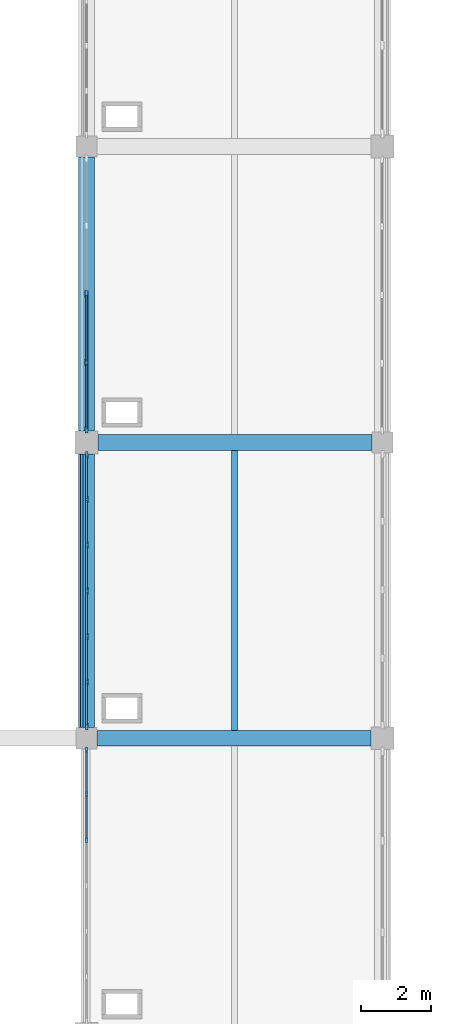
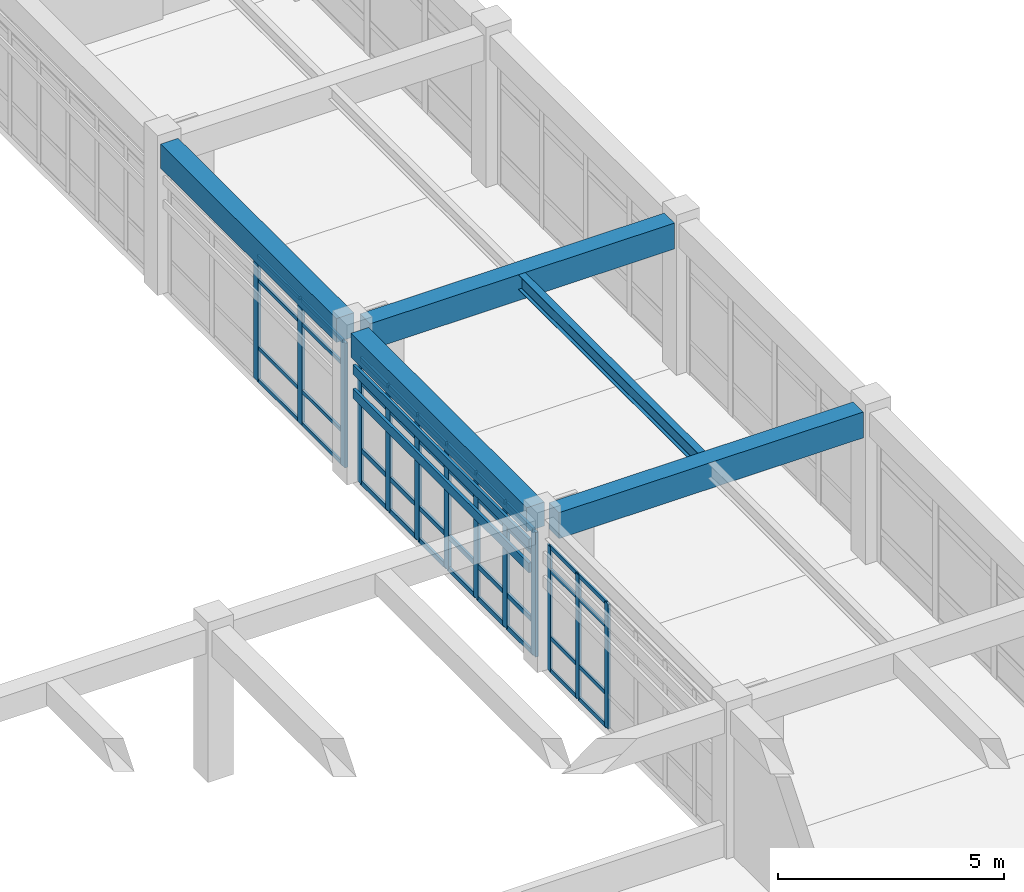
# One storey, part 26 of 74: 55 members, 5 beams, 3 elements without a shape of their own.
"""IFC4 building model written with IfcOpenShell, lengths in metres."""

from ifc_helpers import new_model, si_unit, direction, frame, origin, origin_2d, place, context, subcontext, project, spatial, rectangle, i_section, extrude, material, layer, layer_set, material_profile, profile_set, type_object, element, aggregate, save


model = new_model("IFC4")

# Units and contexts
model_context = context("Model", 3, precision=1e-05, world=origin(), true_north=direction((0.0, 1.0)))
body_context = subcontext(model_context, "Body", "Model", "MODEL_VIEW")
ifc_project = project(units=[si_unit("LENGTHUNIT", "METRE"), si_unit("AREAUNIT", "SQUARE_METRE"), si_unit("VOLUMEUNIT", "CUBIC_METRE"), si_unit("PLANEANGLEUNIT", "RADIAN"), si_unit("MASSUNIT", "GRAM", prefix="KILO")], contexts=[model_context])

# Site, building, storey
site_placement = place(None, origin())
site = spatial("IfcSite", under=ifc_project, at=site_placement, CompositionType="ELEMENT")
building_placement = place(site_placement, origin())
building = spatial("IfcBuilding", under=site, at=building_placement, Name="Porcellanite Civic Hall", CompositionType="ELEMENT")
storey_placement = place(building_placement, frame((0.0, 0.0, 14.760009765625)))
storey = spatial("IfcBuildingStorey", under=building, at=storey_placement, Name="L03", CompositionType="ELEMENT", Elevation=14.760009765625)

# Beams
ifc_material_1 = material(Name="Concrete N50 (50 MPa)", Category="concrete")
ifc_material_profile_1 = material_profile(ifc_material_1, rectangle(XDim=0.449951171875, YDim=0.64990234375, at=origin_2d()), Name="RC-450x650")
ifc_profile_set_1 = profile_set([ifc_material_profile_1], Name="Concrete N50 (50 MPa)")
beam_type_1 = type_object("IfcBeamType", Name="BM-RC650", PredefinedType="SPANDREL", material=ifc_profile_set_1)
for number, where, z_axis, x_axis, name in (
    (1, (50.39990234375, 75.8994140625, 3.744873046875), (0.0, 1.0, 0.0), (-1.0, 0.0, 0.0), "Beam Y L03 7-10"),
    (2, (50.39990234375, 84.324462890625, 3.744873046875), (0.0, 1.0, 0.0), (-1.0, 0.0, 0.0), "Beam Y L03 7-11"),
):
    element("IfcBeam", number, at=place(storey_placement, frame(where, z_axis=z_axis, x_axis=x_axis)), inside=storey, type_object=beam_type_1, Name=name, PredefinedType="SPANDREL", context=body_context, shape_type="SweptSolid", body=[
        extrude(rectangle(XDim=0.449951171875, YDim=0.64990234375, at=origin_2d()), origin(), (0.0, 0.0, 1.0), 7.776123046875),
    ])
ifc_material_2 = material(Name="Concrete N50 (50 MPa)", Category="concrete")
ifc_material_profile_2 = material_profile(ifc_material_2, rectangle(XDim=0.449951171875, YDim=0.699951171875, at=origin_2d()), Name="RC-450x700")
ifc_profile_set_2 = profile_set([ifc_material_profile_2], Name="Concrete N50 (50 MPa)")
beam_type_2 = type_object("IfcBeamType", Name="BM-RC700", PredefinedType="BEAM", material=ifc_profile_set_2)
beam_1_placement = place(storey_placement, frame((50.699462890625, 75.60009765625, 3.719970703125), z_axis=(1.0, 0.0, 0.0), x_axis=(0.0, 1.0, 0.0)))
element("IfcBeam", 3, at=beam_1_placement, inside=storey, type_object=beam_type_2, Name="Beam X L03 7-10", PredefinedType="BEAM", context=body_context, shape_type="SweptSolid", body=[
    extrude(rectangle(XDim=0.449951171875, YDim=0.699951171875, at=origin_2d()), origin(), (0.0, 0.0, 1.0), 7.776123046875),
])
beam_2_placement = place(storey_placement, frame((50.724609375, 84.0, 3.719970703125), z_axis=(1.0, 0.0, 0.0), x_axis=(0.0, 1.0, 0.0)))
element("IfcBeam", 4, at=beam_2_placement, inside=storey, type_object=beam_type_2, Name="Beam X L03 7-11", PredefinedType="BEAM", context=body_context, shape_type="SweptSolid", body=[
    extrude(rectangle(XDim=0.449951171875, YDim=0.699951171875, at=origin_2d()), origin(), (0.0, 0.0, 1.0), 7.77587890625),
])

# Curtain wall, members
ifc_material_3 = material(Name="Anodised aluminium and solar laminated glass", Category="aluminium")
ifc_layer_1 = layer(ifc_material_3, 0.179931640625)
ifc_layer_set_1 = layer_set([ifc_layer_1], Name="Anodised aluminium and solar laminated glass")
curtain_wall_type_1 = type_object("IfcCurtainWallType", Name="CW-SYS04", PredefinedType="NOTDEFINED", material=ifc_layer_set_1)
curtain_wall_1_placement = place(storey_placement, origin())
curtain_wall_1 = element("IfcCurtainWall", 5, at=curtain_wall_1_placement, inside=storey, type_object=curtain_wall_type_1, Name="Curtain wall CW-199", PredefinedType="NOTDEFINED")
ifc_material_4 = material(Name="Anodised aluminium 6063-T6", Category="aluminium")
ifc_material_profile_3 = material_profile(ifc_material_4, rectangle(XDim=0.074951171875, YDim=0.18994140625, at=origin_2d()), Name="AL-75x190")
ifc_profile_set_3 = profile_set([ifc_material_profile_3], Name="Anodised aluminium 6063-T6")
member_type_1 = type_object("IfcMemberType", Name="CWM-04", PredefinedType="MULLION", material=ifc_profile_set_3)
member_1_placement = place(storey_placement, frame((50.39990234375, 84.363525390625, 0.0), z_axis=(0.0, 0.0, 1.0), x_axis=(-1.0, 0.0, 0.0)))
member_1 = element("IfcMember", 6, at=member_1_placement, type_object=member_type_1, Name="CW-199 mullion 1", PredefinedType="MULLION", context=body_context, shape_type="SweptSolid", body=[
    extrude(rectangle(XDim=0.074951171875, YDim=0.18994140625, at=origin_2d()), origin(), (0.0, 0.0, 1.0), 3.369873046875),
])
member_2_placement = place(storey_placement, frame((50.39990234375, 86.269287109375, 0.0), z_axis=(0.0, 0.0, 1.0), x_axis=(-1.0, 0.0, 0.0)))
member_2 = element("IfcMember", 7, at=member_2_placement, type_object=member_type_1, Name="CW-199 mullion 2", PredefinedType="MULLION", context=body_context, shape_type="SweptSolid", body=[
    extrude(rectangle(XDim=0.074951171875, YDim=0.18994140625, at=origin_2d()), origin(), (0.0, 0.0, 1.0), 3.369873046875),
])
member_3_placement = place(storey_placement, frame((50.39990234375, 88.21240234375, 0.0), z_axis=(0.0, 0.0, 1.0), x_axis=(-1.0, 0.0, 0.0)))
member_3 = element("IfcMember", 8, at=member_3_placement, type_object=member_type_1, Name="CW-199 mullion 3", PredefinedType="MULLION", context=body_context, shape_type="SweptSolid", body=[
    extrude(rectangle(XDim=0.074951171875, YDim=0.18994140625, at=origin_2d()), origin(), (0.0, 0.0, 1.0), 3.369873046875),
])

ifc_material_5 = material(Name="Anodised aluminium and solar laminated glass", Category="aluminium")
ifc_layer_2 = layer(ifc_material_5, 0.179931640625)
ifc_layer_set_2 = layer_set([ifc_layer_2], Name="Anodised aluminium and solar laminated glass")
curtain_wall_type_2 = type_object("IfcCurtainWallType", Name="CW-SYS01", PredefinedType="NOTDEFINED", material=ifc_layer_set_2)
curtain_wall_2_placement = place(storey_placement, origin())
curtain_wall_2 = element("IfcCurtainWall", 9, at=curtain_wall_2_placement, inside=storey, type_object=curtain_wall_type_2, Name="Curtain wall CW-197", PredefinedType="NOTDEFINED")
ifc_material_6 = material(Name="Anodised aluminium 6063-T6", Category="aluminium")
ifc_material_profile_4 = material_profile(ifc_material_6, rectangle(XDim=0.070068359375, YDim=0.199951171875, at=origin_2d()), Name="AL-70x200")
ifc_profile_set_4 = profile_set([ifc_material_profile_4], Name="Anodised aluminium 6063-T6")
member_type_2 = type_object("IfcMemberType", Name="CWM-05", PredefinedType="MULLION", material=ifc_profile_set_4)
member_4_placement = place(storey_placement, frame((50.39990234375, 75.93603515625, 0.0), z_axis=(0.0, 0.0, 1.0), x_axis=(-1.0, 0.0, 0.0)))
member_4 = element("IfcMember", 10, at=member_4_placement, type_object=member_type_2, Name="CW-197 mullion 1", PredefinedType="MULLION", context=body_context, shape_type="SweptSolid", body=[
    extrude(rectangle(XDim=0.070068359375, YDim=0.199951171875, at=origin_2d()), origin(), (0.0, 0.0, 1.0), 3.369873046875),
])
member_5_placement = place(storey_placement, frame((50.39990234375, 77.196533203125, 0.0), z_axis=(0.0, 0.0, 1.0), x_axis=(-1.0, 0.0, 0.0)))
member_5 = element("IfcMember", 11, at=member_5_placement, type_object=member_type_2, Name="CW-197 mullion 2", PredefinedType="MULLION", context=body_context, shape_type="SweptSolid", body=[
    extrude(rectangle(XDim=0.070068359375, YDim=0.199951171875, at=origin_2d()), origin(), (0.0, 0.0, 1.0), 3.369873046875),
])
member_6_placement = place(storey_placement, frame((50.39990234375, 78.491943359375, 0.0), z_axis=(0.0, 0.0, 1.0), x_axis=(-1.0, 0.0, 0.0)))
member_6 = element("IfcMember", 12, at=member_6_placement, type_object=member_type_2, Name="CW-197 mullion 3", PredefinedType="MULLION", context=body_context, shape_type="SweptSolid", body=[
    extrude(rectangle(XDim=0.070068359375, YDim=0.199951171875, at=origin_2d()), origin(), (0.0, 0.0, 1.0), 3.369873046875),
])
member_7_placement = place(storey_placement, frame((50.39990234375, 79.78759765625, 0.0), z_axis=(0.0, 0.0, 1.0), x_axis=(-1.0, 0.0, 0.0)))
member_7 = element("IfcMember", 13, at=member_7_placement, type_object=member_type_2, Name="CW-197 mullion 4", PredefinedType="MULLION", context=body_context, shape_type="SweptSolid", body=[
    extrude(rectangle(XDim=0.070068359375, YDim=0.199951171875, at=origin_2d()), origin(), (0.0, 0.0, 1.0), 3.369873046875),
])
member_8_placement = place(storey_placement, frame((50.39990234375, 81.0830078125, 0.0), z_axis=(0.0, 0.0, 1.0), x_axis=(-1.0, 0.0, 0.0)))
member_8 = element("IfcMember", 14, at=member_8_placement, type_object=member_type_2, Name="CW-197 mullion 5", PredefinedType="MULLION", context=body_context, shape_type="SweptSolid", body=[
    extrude(rectangle(XDim=0.070068359375, YDim=0.199951171875, at=origin_2d()), origin(), (0.0, 0.0, 1.0), 3.369873046875),
])
member_9_placement = place(storey_placement, frame((50.39990234375, 82.37841796875, 0.0), z_axis=(0.0, 0.0, 1.0), x_axis=(-1.0, 0.0, 0.0)))
member_9 = element("IfcMember", 15, at=member_9_placement, type_object=member_type_2, Name="CW-197 mullion 6", PredefinedType="MULLION", context=body_context, shape_type="SweptSolid", body=[
    extrude(rectangle(XDim=0.070068359375, YDim=0.199951171875, at=origin_2d()), origin(), (0.0, 0.0, 1.0), 3.369873046875),
])
member_10_placement = place(storey_placement, frame((50.39990234375, 83.638916015625, 0.0), z_axis=(0.0, 0.0, 1.0), x_axis=(-1.0, 0.0, 0.0)))
member_10 = element("IfcMember", 16, at=member_10_placement, type_object=member_type_2, Name="CW-197 mullion 7", PredefinedType="MULLION", context=body_context, shape_type="SweptSolid", body=[
    extrude(rectangle(XDim=0.070068359375, YDim=0.199951171875, at=origin_2d()), origin(), (0.0, 0.0, 1.0), 3.369873046875),
])

ifc_material_7 = material(Name="Anodised aluminium and solar laminated glass", Category="aluminium")
ifc_layer_3 = layer(ifc_material_7, 0.179931640625)
ifc_layer_set_3 = layer_set([ifc_layer_3], Name="Anodised aluminium and solar laminated glass")
curtain_wall_type_3 = type_object("IfcCurtainWallType", Name="CW-SYS07", PredefinedType="NOTDEFINED", material=ifc_layer_set_3)
curtain_wall_3_placement = place(storey_placement, origin())
curtain_wall_3 = element("IfcCurtainWall", 17, at=curtain_wall_3_placement, inside=storey, type_object=curtain_wall_type_3, Name="Curtain wall CW-195", PredefinedType="NOTDEFINED")
ifc_material_8 = material(Name="Anodised aluminium 6063-T6", Category="aluminium")
ifc_material_profile_5 = material_profile(ifc_material_8, rectangle(XDim=0.06005859375, YDim=0.159912109375, at=origin_2d()), Name="AL-60x160")
ifc_profile_set_5 = profile_set([ifc_material_profile_5], Name="Anodised aluminium 6063-T6")
member_type_3 = type_object("IfcMemberType", Name="CWM-07", PredefinedType="MULLION", material=ifc_profile_set_5)
member_11_placement = place(storey_placement, frame((50.39990234375, 72.7080078125, 0.0), z_axis=(0.0, 0.0, 1.0), x_axis=(-1.0, 0.0, 0.0)))
member_11 = element("IfcMember", 18, at=member_11_placement, type_object=member_type_3, Name="CW-195 mullion 5", PredefinedType="MULLION", context=body_context, shape_type="SweptSolid", body=[
    extrude(rectangle(XDim=0.06005859375, YDim=0.159912109375, at=origin_2d()), origin(), (0.0, 0.0, 1.0), 3.369873046875),
])
member_12_placement = place(storey_placement, frame((50.39990234375, 74.00341796875, 0.0), z_axis=(0.0, 0.0, 1.0), x_axis=(-1.0, 0.0, 0.0)))
member_12 = element("IfcMember", 19, at=member_12_placement, type_object=member_type_3, Name="CW-195 mullion 6", PredefinedType="MULLION", context=body_context, shape_type="SweptSolid", body=[
    extrude(rectangle(XDim=0.06005859375, YDim=0.159912109375, at=origin_2d()), origin(), (0.0, 0.0, 1.0), 3.369873046875),
])
member_13_placement = place(storey_placement, frame((50.39990234375, 75.26904296875, 0.0), z_axis=(0.0, 0.0, 1.0), x_axis=(-1.0, 0.0, 0.0)))
member_13 = element("IfcMember", 20, at=member_13_placement, type_object=member_type_3, Name="CW-195 mullion 7", PredefinedType="MULLION", context=body_context, shape_type="SweptSolid", body=[
    extrude(rectangle(XDim=0.06005859375, YDim=0.159912109375, at=origin_2d()), origin(), (0.0, 0.0, 1.0), 3.369873046875),
])

# Member
ifc_material_9 = material(Name="Anodised aluminium 6063-T6", Category="aluminium")
ifc_material_profile_6 = material_profile(ifc_material_9, rectangle(XDim=0.06005859375, YDim=0.1298828125, at=origin_2d()), Name="AL-60x130")
ifc_profile_set_6 = profile_set([ifc_material_profile_6], Name="Anodised aluminium 6063-T6")
member_type_4 = type_object("IfcMemberType", Name="CWT-03", PredefinedType="USERDEFINED", material=ifc_profile_set_6)
member_14_placement = place(storey_placement, frame((50.39990234375, 75.970947265625, 0.030029296875), z_axis=(0.0, 1.0, 0.0), x_axis=(-1.0, 0.0, 0.0)))
member_14 = element("IfcMember", 21, at=member_14_placement, type_object=member_type_4, Name="CW-197 transom 1.1", ObjectType="TRANSOM", PredefinedType="USERDEFINED", context=body_context, shape_type="SweptSolid", body=[
    extrude(rectangle(XDim=0.06005859375, YDim=0.1298828125, at=origin_2d()), origin(), (0.0, 0.0, 1.0), 1.190673828125),
])

member_15_placement = place(storey_placement, frame((50.39990234375, 75.970947265625, 0.89990234375), z_axis=(0.0, 1.0, 0.0), x_axis=(-1.0, 0.0, 0.0)))
member_15 = element("IfcMember", 22, at=member_15_placement, type_object=member_type_4, Name="CW-197 transom 1.2", ObjectType="TRANSOM", PredefinedType="USERDEFINED", context=body_context, shape_type="SweptSolid", body=[
    extrude(rectangle(XDim=0.06005859375, YDim=0.1298828125, at=origin_2d()), origin(), (0.0, 0.0, 1.0), 1.190673828125),
])

member_16_placement = place(storey_placement, frame((50.39990234375, 75.970947265625, 2.719970703125), z_axis=(0.0, 1.0, 0.0), x_axis=(-1.0, 0.0, 0.0)))
member_16 = element("IfcMember", 23, at=member_16_placement, type_object=member_type_4, Name="CW-197 transom 1.3", ObjectType="TRANSOM", PredefinedType="USERDEFINED", context=body_context, shape_type="SweptSolid", body=[
    extrude(rectangle(XDim=0.06005859375, YDim=0.1298828125, at=origin_2d()), origin(), (0.0, 0.0, 1.0), 1.190673828125),
])

member_17_placement = place(storey_placement, frame((50.39990234375, 75.970947265625, 3.340087890625), z_axis=(0.0, 1.0, 0.0), x_axis=(-1.0, 0.0, 0.0)))
member_17 = element("IfcMember", 24, at=member_17_placement, type_object=member_type_4, Name="CW-197 transom 1.4", ObjectType="TRANSOM", PredefinedType="USERDEFINED", context=body_context, shape_type="SweptSolid", body=[
    extrude(rectangle(XDim=0.06005859375, YDim=0.1298828125, at=origin_2d()), origin(), (0.0, 0.0, 1.0), 1.190673828125),
])

member_18_placement = place(storey_placement, frame((50.39990234375, 77.2314453125, 0.030029296875), z_axis=(0.0, 1.0, 0.0), x_axis=(-1.0, 0.0, 0.0)))
member_18 = element("IfcMember", 25, at=member_18_placement, type_object=member_type_4, Name="CW-197 transom 2.1", ObjectType="TRANSOM", PredefinedType="USERDEFINED", context=body_context, shape_type="SweptSolid", body=[
    extrude(rectangle(XDim=0.06005859375, YDim=0.1298828125, at=origin_2d()), origin(), (0.0, 0.0, 1.0), 1.2255859375),
])

member_19_placement = place(storey_placement, frame((50.39990234375, 77.2314453125, 0.89990234375), z_axis=(0.0, 1.0, 0.0), x_axis=(-1.0, 0.0, 0.0)))
member_19 = element("IfcMember", 26, at=member_19_placement, type_object=member_type_4, Name="CW-197 transom 2.2", ObjectType="TRANSOM", PredefinedType="USERDEFINED", context=body_context, shape_type="SweptSolid", body=[
    extrude(rectangle(XDim=0.06005859375, YDim=0.1298828125, at=origin_2d()), origin(), (0.0, 0.0, 1.0), 1.2255859375),
])

member_20_placement = place(storey_placement, frame((50.39990234375, 77.2314453125, 2.719970703125), z_axis=(0.0, 1.0, 0.0), x_axis=(-1.0, 0.0, 0.0)))
member_20 = element("IfcMember", 27, at=member_20_placement, type_object=member_type_4, Name="CW-197 transom 2.3", ObjectType="TRANSOM", PredefinedType="USERDEFINED", context=body_context, shape_type="SweptSolid", body=[
    extrude(rectangle(XDim=0.06005859375, YDim=0.1298828125, at=origin_2d()), origin(), (0.0, 0.0, 1.0), 1.2255859375),
])

member_21_placement = place(storey_placement, frame((50.39990234375, 77.2314453125, 3.340087890625), z_axis=(0.0, 1.0, 0.0), x_axis=(-1.0, 0.0, 0.0)))
member_21 = element("IfcMember", 28, at=member_21_placement, type_object=member_type_4, Name="CW-197 transom 2.4", ObjectType="TRANSOM", PredefinedType="USERDEFINED", context=body_context, shape_type="SweptSolid", body=[
    extrude(rectangle(XDim=0.06005859375, YDim=0.1298828125, at=origin_2d()), origin(), (0.0, 0.0, 1.0), 1.2255859375),
])

member_22_placement = place(storey_placement, frame((50.39990234375, 78.527099609375, 0.030029296875), z_axis=(0.0, 1.0, 0.0), x_axis=(-1.0, 0.0, 0.0)))
member_22 = element("IfcMember", 29, at=member_22_placement, type_object=member_type_4, Name="CW-197 transom 3.1", ObjectType="TRANSOM", PredefinedType="USERDEFINED", context=body_context, shape_type="SweptSolid", body=[
    extrude(rectangle(XDim=0.06005859375, YDim=0.1298828125, at=origin_2d()), origin(), (0.0, 0.0, 1.0), 1.225341796875),
])

member_23_placement = place(storey_placement, frame((50.39990234375, 78.527099609375, 0.89990234375), z_axis=(0.0, 1.0, 0.0), x_axis=(-1.0, 0.0, 0.0)))
member_23 = element("IfcMember", 30, at=member_23_placement, type_object=member_type_4, Name="CW-197 transom 3.2", ObjectType="TRANSOM", PredefinedType="USERDEFINED", context=body_context, shape_type="SweptSolid", body=[
    extrude(rectangle(XDim=0.06005859375, YDim=0.1298828125, at=origin_2d()), origin(), (0.0, 0.0, 1.0), 1.225341796875),
])

member_24_placement = place(storey_placement, frame((50.39990234375, 78.527099609375, 2.719970703125), z_axis=(0.0, 1.0, 0.0), x_axis=(-1.0, 0.0, 0.0)))
member_24 = element("IfcMember", 31, at=member_24_placement, type_object=member_type_4, Name="CW-197 transom 3.3", ObjectType="TRANSOM", PredefinedType="USERDEFINED", context=body_context, shape_type="SweptSolid", body=[
    extrude(rectangle(XDim=0.06005859375, YDim=0.1298828125, at=origin_2d()), origin(), (0.0, 0.0, 1.0), 1.225341796875),
])

member_25_placement = place(storey_placement, frame((50.39990234375, 78.527099609375, 3.340087890625), z_axis=(0.0, 1.0, 0.0), x_axis=(-1.0, 0.0, 0.0)))
member_25 = element("IfcMember", 32, at=member_25_placement, type_object=member_type_4, Name="CW-197 transom 3.4", ObjectType="TRANSOM", PredefinedType="USERDEFINED", context=body_context, shape_type="SweptSolid", body=[
    extrude(rectangle(XDim=0.06005859375, YDim=0.1298828125, at=origin_2d()), origin(), (0.0, 0.0, 1.0), 1.225341796875),
])

member_26_placement = place(storey_placement, frame((50.39990234375, 79.822509765625, 0.030029296875), z_axis=(0.0, 1.0, 0.0), x_axis=(-1.0, 0.0, 0.0)))
member_26 = element("IfcMember", 33, at=member_26_placement, type_object=member_type_4, Name="CW-197 transom 4.1", ObjectType="TRANSOM", PredefinedType="USERDEFINED", context=body_context, shape_type="SweptSolid", body=[
    extrude(rectangle(XDim=0.06005859375, YDim=0.1298828125, at=origin_2d()), origin(), (0.0, 0.0, 1.0), 1.2255859375),
])

member_27_placement = place(storey_placement, frame((50.39990234375, 79.822509765625, 0.89990234375), z_axis=(0.0, 1.0, 0.0), x_axis=(-1.0, 0.0, 0.0)))
member_27 = element("IfcMember", 34, at=member_27_placement, type_object=member_type_4, Name="CW-197 transom 4.2", ObjectType="TRANSOM", PredefinedType="USERDEFINED", context=body_context, shape_type="SweptSolid", body=[
    extrude(rectangle(XDim=0.06005859375, YDim=0.1298828125, at=origin_2d()), origin(), (0.0, 0.0, 1.0), 1.2255859375),
])

member_28_placement = place(storey_placement, frame((50.39990234375, 79.822509765625, 2.719970703125), z_axis=(0.0, 1.0, 0.0), x_axis=(-1.0, 0.0, 0.0)))
member_28 = element("IfcMember", 35, at=member_28_placement, type_object=member_type_4, Name="CW-197 transom 4.3", ObjectType="TRANSOM", PredefinedType="USERDEFINED", context=body_context, shape_type="SweptSolid", body=[
    extrude(rectangle(XDim=0.06005859375, YDim=0.1298828125, at=origin_2d()), origin(), (0.0, 0.0, 1.0), 1.2255859375),
])

member_29_placement = place(storey_placement, frame((50.39990234375, 79.822509765625, 3.340087890625), z_axis=(0.0, 1.0, 0.0), x_axis=(-1.0, 0.0, 0.0)))
member_29 = element("IfcMember", 36, at=member_29_placement, type_object=member_type_4, Name="CW-197 transom 4.4", ObjectType="TRANSOM", PredefinedType="USERDEFINED", context=body_context, shape_type="SweptSolid", body=[
    extrude(rectangle(XDim=0.06005859375, YDim=0.1298828125, at=origin_2d()), origin(), (0.0, 0.0, 1.0), 1.2255859375),
])

member_30_placement = place(storey_placement, frame((50.39990234375, 81.117919921875, 0.030029296875), z_axis=(0.0, 1.0, 0.0), x_axis=(-1.0, 0.0, 0.0)))
member_30 = element("IfcMember", 37, at=member_30_placement, type_object=member_type_4, Name="CW-197 transom 5.1", ObjectType="TRANSOM", PredefinedType="USERDEFINED", context=body_context, shape_type="SweptSolid", body=[
    extrude(rectangle(XDim=0.06005859375, YDim=0.1298828125, at=origin_2d()), origin(), (0.0, 0.0, 1.0), 1.2255859375),
])

member_31_placement = place(storey_placement, frame((50.39990234375, 81.117919921875, 0.89990234375), z_axis=(0.0, 1.0, 0.0), x_axis=(-1.0, 0.0, 0.0)))
member_31 = element("IfcMember", 38, at=member_31_placement, type_object=member_type_4, Name="CW-197 transom 5.2", ObjectType="TRANSOM", PredefinedType="USERDEFINED", context=body_context, shape_type="SweptSolid", body=[
    extrude(rectangle(XDim=0.06005859375, YDim=0.1298828125, at=origin_2d()), origin(), (0.0, 0.0, 1.0), 1.2255859375),
])

member_32_placement = place(storey_placement, frame((50.39990234375, 81.117919921875, 2.719970703125), z_axis=(0.0, 1.0, 0.0), x_axis=(-1.0, 0.0, 0.0)))
member_32 = element("IfcMember", 39, at=member_32_placement, type_object=member_type_4, Name="CW-197 transom 5.3", ObjectType="TRANSOM", PredefinedType="USERDEFINED", context=body_context, shape_type="SweptSolid", body=[
    extrude(rectangle(XDim=0.06005859375, YDim=0.1298828125, at=origin_2d()), origin(), (0.0, 0.0, 1.0), 1.2255859375),
])

member_33_placement = place(storey_placement, frame((50.39990234375, 81.117919921875, 3.340087890625), z_axis=(0.0, 1.0, 0.0), x_axis=(-1.0, 0.0, 0.0)))
member_33 = element("IfcMember", 40, at=member_33_placement, type_object=member_type_4, Name="CW-197 transom 5.4", ObjectType="TRANSOM", PredefinedType="USERDEFINED", context=body_context, shape_type="SweptSolid", body=[
    extrude(rectangle(XDim=0.06005859375, YDim=0.1298828125, at=origin_2d()), origin(), (0.0, 0.0, 1.0), 1.2255859375),
])

member_34_placement = place(storey_placement, frame((50.39990234375, 82.41357421875, 0.030029296875), z_axis=(0.0, 1.0, 0.0), x_axis=(-1.0, 0.0, 0.0)))
member_34 = element("IfcMember", 41, at=member_34_placement, type_object=member_type_4, Name="CW-197 transom 6.1", ObjectType="TRANSOM", PredefinedType="USERDEFINED", context=body_context, shape_type="SweptSolid", body=[
    extrude(rectangle(XDim=0.06005859375, YDim=0.1298828125, at=origin_2d()), origin(), (0.0, 0.0, 1.0), 1.1904296875),
])

member_35_placement = place(storey_placement, frame((50.39990234375, 82.41357421875, 0.89990234375), z_axis=(0.0, 1.0, 0.0), x_axis=(-1.0, 0.0, 0.0)))
member_35 = element("IfcMember", 42, at=member_35_placement, type_object=member_type_4, Name="CW-197 transom 6.2", ObjectType="TRANSOM", PredefinedType="USERDEFINED", context=body_context, shape_type="SweptSolid", body=[
    extrude(rectangle(XDim=0.06005859375, YDim=0.1298828125, at=origin_2d()), origin(), (0.0, 0.0, 1.0), 1.1904296875),
])

member_36_placement = place(storey_placement, frame((50.39990234375, 82.41357421875, 2.719970703125), z_axis=(0.0, 1.0, 0.0), x_axis=(-1.0, 0.0, 0.0)))
member_36 = element("IfcMember", 43, at=member_36_placement, type_object=member_type_4, Name="CW-197 transom 6.3", ObjectType="TRANSOM", PredefinedType="USERDEFINED", context=body_context, shape_type="SweptSolid", body=[
    extrude(rectangle(XDim=0.06005859375, YDim=0.1298828125, at=origin_2d()), origin(), (0.0, 0.0, 1.0), 1.1904296875),
])

member_37_placement = place(storey_placement, frame((50.39990234375, 82.41357421875, 3.340087890625), z_axis=(0.0, 1.0, 0.0), x_axis=(-1.0, 0.0, 0.0)))
member_37 = element("IfcMember", 44, at=member_37_placement, type_object=member_type_4, Name="CW-197 transom 6.4", ObjectType="TRANSOM", PredefinedType="USERDEFINED", context=body_context, shape_type="SweptSolid", body=[
    extrude(rectangle(XDim=0.06005859375, YDim=0.1298828125, at=origin_2d()), origin(), (0.0, 0.0, 1.0), 1.1904296875),
])

aggregate(curtain_wall_2, [member_4, member_5, member_6, member_7, member_8, member_9, member_10, member_14, member_15, member_16, member_17, member_18, member_19, member_20, member_21, member_22, member_23, member_24, member_25, member_26, member_27, member_28, member_29, member_30, member_31, member_32, member_33, member_34, member_35, member_36, member_37])

ifc_material_10 = material(Name="Anodised aluminium 6063-T6", Category="aluminium")
ifc_material_profile_7 = material_profile(ifc_material_10, rectangle(XDim=0.054931640625, YDim=0.10009765625, at=origin_2d()), Name="AL-55x100")
ifc_profile_set_7 = profile_set([ifc_material_profile_7], Name="Anodised aluminium 6063-T6")
member_type_5 = type_object("IfcMemberType", Name="CWT-05", PredefinedType="USERDEFINED", material=ifc_profile_set_7)
member_38_placement = place(storey_placement, frame((50.39990234375, 84.40087890625, 0.027587890625), z_axis=(0.0, 1.0, 0.0), x_axis=(-1.0, 0.0, 0.0)))
member_38 = element("IfcMember", 45, at=member_38_placement, type_object=member_type_5, Name="CW-199 transom 1.1", ObjectType="TRANSOM", PredefinedType="USERDEFINED", context=body_context, shape_type="SweptSolid", body=[
    extrude(rectangle(XDim=0.054931640625, YDim=0.10009765625, at=origin_2d()), origin(), (0.0, 0.0, 1.0), 1.830810546875),
])

member_39_placement = place(storey_placement, frame((50.39990234375, 84.40087890625, 0.89990234375), z_axis=(0.0, 1.0, 0.0), x_axis=(-1.0, 0.0, 0.0)))
member_39 = element("IfcMember", 46, at=member_39_placement, type_object=member_type_5, Name="CW-199 transom 1.2", ObjectType="TRANSOM", PredefinedType="USERDEFINED", context=body_context, shape_type="SweptSolid", body=[
    extrude(rectangle(XDim=0.054931640625, YDim=0.10009765625, at=origin_2d()), origin(), (0.0, 0.0, 1.0), 1.830810546875),
])

member_40_placement = place(storey_placement, frame((50.39990234375, 84.40087890625, 2.719970703125), z_axis=(0.0, 1.0, 0.0), x_axis=(-1.0, 0.0, 0.0)))
member_40 = element("IfcMember", 47, at=member_40_placement, type_object=member_type_5, Name="CW-199 transom 1.3", ObjectType="TRANSOM", PredefinedType="USERDEFINED", context=body_context, shape_type="SweptSolid", body=[
    extrude(rectangle(XDim=0.054931640625, YDim=0.10009765625, at=origin_2d()), origin(), (0.0, 0.0, 1.0), 1.830810546875),
])

member_41_placement = place(storey_placement, frame((50.39990234375, 84.40087890625, 3.342529296875), z_axis=(0.0, 1.0, 0.0), x_axis=(-1.0, 0.0, 0.0)))
member_41 = element("IfcMember", 48, at=member_41_placement, type_object=member_type_5, Name="CW-199 transom 1.4", ObjectType="TRANSOM", PredefinedType="USERDEFINED", context=body_context, shape_type="SweptSolid", body=[
    extrude(rectangle(XDim=0.054931640625, YDim=0.10009765625, at=origin_2d()), origin(), (0.0, 0.0, 1.0), 1.830810546875),
])

member_42_placement = place(storey_placement, frame((50.39990234375, 86.306640625, 0.027587890625), z_axis=(0.0, 1.0, 0.0), x_axis=(-1.0, 0.0, 0.0)))
member_42 = element("IfcMember", 49, at=member_42_placement, type_object=member_type_5, Name="CW-199 transom 2.1", ObjectType="TRANSOM", PredefinedType="USERDEFINED", context=body_context, shape_type="SweptSolid", body=[
    extrude(rectangle(XDim=0.054931640625, YDim=0.10009765625, at=origin_2d()), origin(), (0.0, 0.0, 1.0), 1.868408203125),
])

member_43_placement = place(storey_placement, frame((50.39990234375, 86.306640625, 0.89990234375), z_axis=(0.0, 1.0, 0.0), x_axis=(-1.0, 0.0, 0.0)))
member_43 = element("IfcMember", 50, at=member_43_placement, type_object=member_type_5, Name="CW-199 transom 2.2", ObjectType="TRANSOM", PredefinedType="USERDEFINED", context=body_context, shape_type="SweptSolid", body=[
    extrude(rectangle(XDim=0.054931640625, YDim=0.10009765625, at=origin_2d()), origin(), (0.0, 0.0, 1.0), 1.868408203125),
])

member_44_placement = place(storey_placement, frame((50.39990234375, 86.306640625, 2.719970703125), z_axis=(0.0, 1.0, 0.0), x_axis=(-1.0, 0.0, 0.0)))
member_44 = element("IfcMember", 51, at=member_44_placement, type_object=member_type_5, Name="CW-199 transom 2.3", ObjectType="TRANSOM", PredefinedType="USERDEFINED", context=body_context, shape_type="SweptSolid", body=[
    extrude(rectangle(XDim=0.054931640625, YDim=0.10009765625, at=origin_2d()), origin(), (0.0, 0.0, 1.0), 1.868408203125),
])

member_45_placement = place(storey_placement, frame((50.39990234375, 86.306640625, 3.342529296875), z_axis=(0.0, 1.0, 0.0), x_axis=(-1.0, 0.0, 0.0)))
member_45 = element("IfcMember", 52, at=member_45_placement, type_object=member_type_5, Name="CW-199 transom 2.4", ObjectType="TRANSOM", PredefinedType="USERDEFINED", context=body_context, shape_type="SweptSolid", body=[
    extrude(rectangle(XDim=0.054931640625, YDim=0.10009765625, at=origin_2d()), origin(), (0.0, 0.0, 1.0), 1.868408203125),
])

aggregate(curtain_wall_1, [member_1, member_2, member_3, member_38, member_39, member_40, member_41, member_42, member_43, member_44, member_45])

ifc_material_11 = material(Name="Anodised aluminium 6063-T6", Category="aluminium")
ifc_material_profile_8 = material_profile(ifc_material_11, rectangle(XDim=0.050048828125, YDim=0.110107421875, at=origin_2d()), Name="AL-50x110")
ifc_profile_set_8 = profile_set([ifc_material_profile_8], Name="Anodised aluminium 6063-T6")
member_type_6 = type_object("IfcMemberType", Name="CWT-07", PredefinedType="USERDEFINED", material=ifc_profile_set_8)
member_46_placement = place(storey_placement, frame((50.39990234375, 72.738037109375, 0.02490234375), z_axis=(0.0, 1.0, 0.0), x_axis=(-1.0, 0.0, 0.0)))
member_46 = element("IfcMember", 53, at=member_46_placement, type_object=member_type_6, Name="CW-195 transom 5.1", ObjectType="TRANSOM", PredefinedType="USERDEFINED", context=body_context, shape_type="SweptSolid", body=[
    extrude(rectangle(XDim=0.050048828125, YDim=0.110107421875, at=origin_2d()), origin(), (0.0, 0.0, 1.0), 1.2353515625),
])

member_47_placement = place(storey_placement, frame((50.39990234375, 72.738037109375, 0.89990234375), z_axis=(0.0, 1.0, 0.0), x_axis=(-1.0, 0.0, 0.0)))
member_47 = element("IfcMember", 54, at=member_47_placement, type_object=member_type_6, Name="CW-195 transom 5.2", ObjectType="TRANSOM", PredefinedType="USERDEFINED", context=body_context, shape_type="SweptSolid", body=[
    extrude(rectangle(XDim=0.050048828125, YDim=0.110107421875, at=origin_2d()), origin(), (0.0, 0.0, 1.0), 1.2353515625),
])

member_48_placement = place(storey_placement, frame((50.39990234375, 72.738037109375, 2.719970703125), z_axis=(0.0, 1.0, 0.0), x_axis=(-1.0, 0.0, 0.0)))
member_48 = element("IfcMember", 55, at=member_48_placement, type_object=member_type_6, Name="CW-195 transom 5.3", ObjectType="TRANSOM", PredefinedType="USERDEFINED", context=body_context, shape_type="SweptSolid", body=[
    extrude(rectangle(XDim=0.050048828125, YDim=0.110107421875, at=origin_2d()), origin(), (0.0, 0.0, 1.0), 1.2353515625),
])

member_49_placement = place(storey_placement, frame((50.39990234375, 72.738037109375, 3.344970703125), z_axis=(0.0, 1.0, 0.0), x_axis=(-1.0, 0.0, 0.0)))
member_49 = element("IfcMember", 56, at=member_49_placement, type_object=member_type_6, Name="CW-195 transom 5.4", ObjectType="TRANSOM", PredefinedType="USERDEFINED", context=body_context, shape_type="SweptSolid", body=[
    extrude(rectangle(XDim=0.050048828125, YDim=0.110107421875, at=origin_2d()), origin(), (0.0, 0.0, 1.0), 1.2353515625),
])

member_50_placement = place(storey_placement, frame((50.39990234375, 74.033447265625, 0.02490234375), z_axis=(0.0, 1.0, 0.0), x_axis=(-1.0, 0.0, 0.0)))
member_50 = element("IfcMember", 57, at=member_50_placement, type_object=member_type_6, Name="CW-195 transom 6.1", ObjectType="TRANSOM", PredefinedType="USERDEFINED", context=body_context, shape_type="SweptSolid", body=[
    extrude(rectangle(XDim=0.050048828125, YDim=0.110107421875, at=origin_2d()), origin(), (0.0, 0.0, 1.0), 1.20556640625),
])

member_51_placement = place(storey_placement, frame((50.39990234375, 74.033447265625, 0.89990234375), z_axis=(0.0, 1.0, 0.0), x_axis=(-1.0, 0.0, 0.0)))
member_51 = element("IfcMember", 58, at=member_51_placement, type_object=member_type_6, Name="CW-195 transom 6.2", ObjectType="TRANSOM", PredefinedType="USERDEFINED", context=body_context, shape_type="SweptSolid", body=[
    extrude(rectangle(XDim=0.050048828125, YDim=0.110107421875, at=origin_2d()), origin(), (0.0, 0.0, 1.0), 1.20556640625),
])

member_52_placement = place(storey_placement, frame((50.39990234375, 74.033447265625, 2.719970703125), z_axis=(0.0, 1.0, 0.0), x_axis=(-1.0, 0.0, 0.0)))
member_52 = element("IfcMember", 59, at=member_52_placement, type_object=member_type_6, Name="CW-195 transom 6.3", ObjectType="TRANSOM", PredefinedType="USERDEFINED", context=body_context, shape_type="SweptSolid", body=[
    extrude(rectangle(XDim=0.050048828125, YDim=0.110107421875, at=origin_2d()), origin(), (0.0, 0.0, 1.0), 1.20556640625),
])

member_53_placement = place(storey_placement, frame((50.39990234375, 74.033447265625, 3.344970703125), z_axis=(0.0, 1.0, 0.0), x_axis=(-1.0, 0.0, 0.0)))
member_53 = element("IfcMember", 60, at=member_53_placement, type_object=member_type_6, Name="CW-195 transom 6.4", ObjectType="TRANSOM", PredefinedType="USERDEFINED", context=body_context, shape_type="SweptSolid", body=[
    extrude(rectangle(XDim=0.050048828125, YDim=0.110107421875, at=origin_2d()), origin(), (0.0, 0.0, 1.0), 1.20556640625),
])

aggregate(curtain_wall_3, [member_11, member_12, member_13, member_46, member_47, member_48, member_49, member_50, member_51, member_52, member_53])

# Beam
ifc_material_12 = material(Name="Steel Grade 350", Category="steel")
ifc_material_profile_9 = material_profile(ifc_material_12, i_section(OverallWidth=0.177978515625, OverallDepth=0.403076171875, WebThickness=0.007568359375, FlangeThickness=0.010986328125, FilletRadius=0.011474609375, at=origin_2d()), Name="410UB53.7")
ifc_profile_set_9 = profile_set([ifc_material_profile_9], Name="Steel Grade 350")
beam_type_3 = type_object("IfcBeamType", Name="JST-410UB54", PredefinedType="JOIST", material=ifc_profile_set_9)
beam_3_placement = place(storey_placement, frame((54.60009765625, 75.824462890625, 3.868408203125), z_axis=(0.0, 1.0, 0.0), x_axis=(-1.0, 0.0, 0.0)))
element("IfcBeam", 61, at=beam_3_placement, inside=storey, type_object=beam_type_3, Name="Secondary joist L03 7-10", PredefinedType="JOIST", context=body_context, shape_type="SweptSolid", body=[
    extrude(i_section(OverallWidth=0.177978515625, OverallDepth=0.403076171875, WebThickness=0.007568359375, FlangeThickness=0.010986328125, FilletRadius=0.011474609375, at=origin_2d()), origin(), (0.0, 0.0, 1.0), 7.950927734375),
])

# Members
ifc_material_13 = material(Name="Fluoropolymer bauxite-red aluminium 6063-T6", Category="aluminium")
ifc_material_profile_10 = material_profile(ifc_material_13, rectangle(XDim=0.070068359375, YDim=0.260009765625, at=origin_2d()), Name="AL-70x260")
ifc_profile_set_10 = profile_set([ifc_material_profile_10], Name="Fluoropolymer bauxite-red aluminium 6063-T6")
member_type_7 = type_object("IfcMemberType", Name="LV-BLD06", PredefinedType="USERDEFINED", material=ifc_profile_set_10)
for number, where, z_axis, x_axis, name in (
    (62, (50.262939453125, 75.8994140625, 3.070068359375), (0.0, 1.0, 0.0), (-1.0, 0.0, 0.0), "Cyclone sunshade louvre L03 W 6-9 1"),
    (63, (50.262939453125, 75.8994140625, 2.419921875), (0.0, 1.0, 0.0), (-1.0, 0.0, 0.0), "Cyclone sunshade louvre L03 W 6-9 2"),
):
    element("IfcMember", number, at=place(storey_placement, frame(where, z_axis=z_axis, x_axis=x_axis)), inside=storey, type_object=member_type_7, Name=name, ObjectType="LOUVRE BLADE", PredefinedType="USERDEFINED", context=body_context, shape_type="SweptSolid", body=[
        extrude(rectangle(XDim=0.070068359375, YDim=0.260009765625, at=origin_2d()), origin(), (0.0, 0.0, 1.0), 7.776123046875),
    ])

save(model, "model.ifc")
